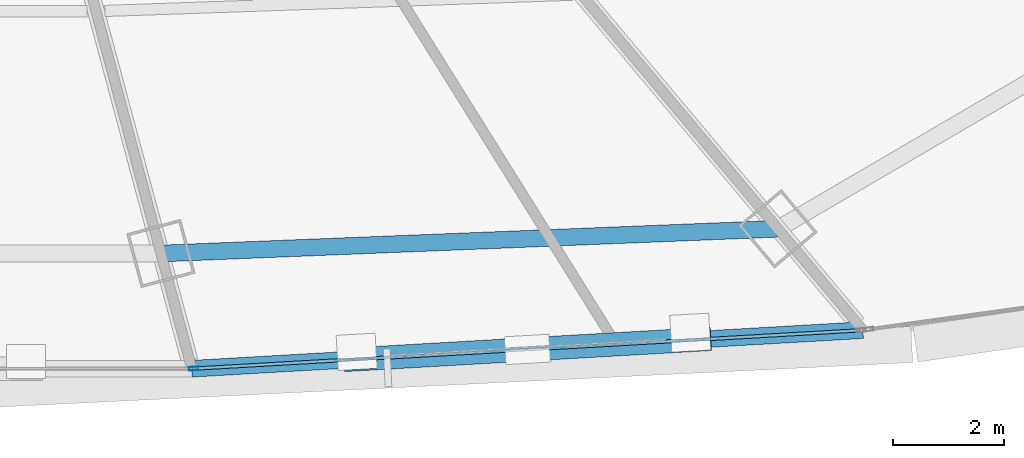
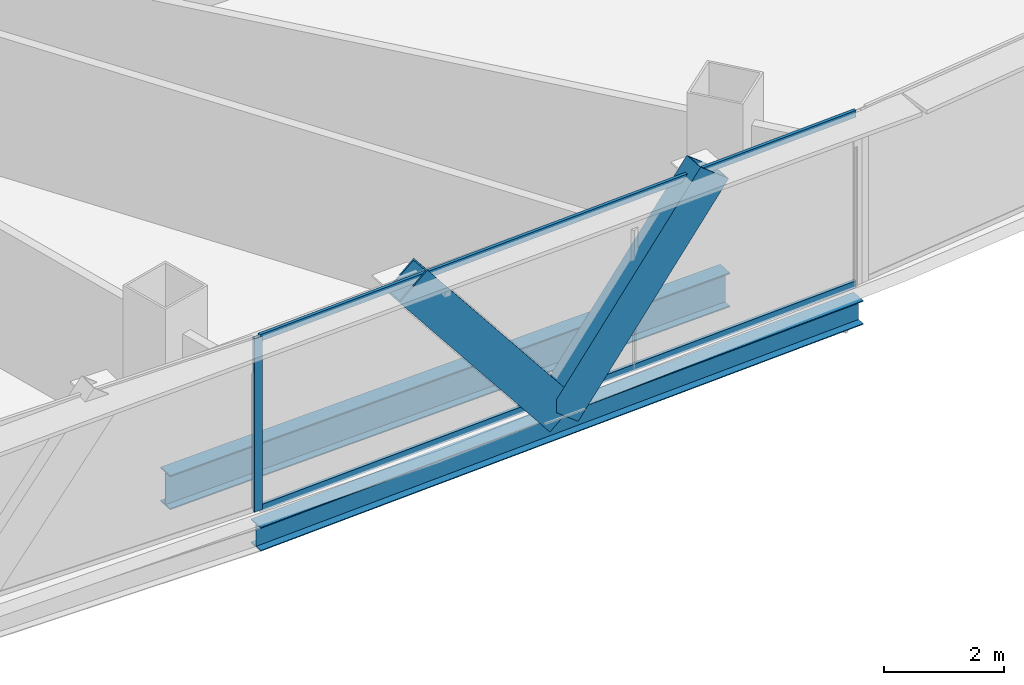
# One storey, part 10 of 37: 5 members, 2 beams, 1 element without a shape of its own.
"""IFC4 building model written with IfcOpenShell, lengths in metres."""

from ifc_helpers import new_model, si_unit, direction, frame, origin, origin_2d, place, context, subcontext, project, spatial, hollow_rectangle, i_section, extrude, source, transform, mapped, material, layer, layer_set, material_profile, profile_set, type_object, element, aggregate, save


model = new_model("IFC4")

# Units and contexts
model_context = context("Model", 3, precision=1e-05, world=origin(), true_north=direction((0.0, 1.0)))
body_context = subcontext(model_context, "Body", "Model", "MODEL_VIEW")
ifc_project = project(units=[si_unit("LENGTHUNIT", "METRE"), si_unit("AREAUNIT", "SQUARE_METRE"), si_unit("VOLUMEUNIT", "CUBIC_METRE"), si_unit("PLANEANGLEUNIT", "RADIAN"), si_unit("MASSUNIT", "GRAM", prefix="KILO"), si_unit("THERMODYNAMICTEMPERATUREUNIT", "KELVIN"), si_unit("POWERUNIT", "WATT")], contexts=[model_context])

# Site, building, storey
site_placement = place(None, origin())
site = spatial("IfcSite", under=ifc_project, at=site_placement, CompositionType="ELEMENT")
building_placement = place(site_placement, origin())
building = spatial("IfcBuilding", under=site, at=building_placement, Name="Yunzhuo Pagoda Commons", CompositionType="ELEMENT")
storey_placement = place(building_placement, frame((0.0, 0.0, 88.780029296875)))
storey = spatial("IfcBuildingStorey", under=building, at=storey_placement, Name="L22", CompositionType="ELEMENT", Elevation=88.780029296875)

# Beams
ifc_material_1 = material(Name="Structural steel Q355B", Category="steel")
ifc_material_profile_1 = material_profile(ifc_material_1, i_section(OverallWidth=0.300048828125, OverallDepth=0.488037109375, WebThickness=0.010986328125, FlangeThickness=0.01806640625, at=origin_2d()), Name="Structural steel Q355B")
ifc_profile_set_1 = profile_set([ifc_material_profile_1], Name="Structural steel Q355B")
beam_type_1 = type_object("IfcBeamType", Name="B-SP1 Beam HM 488x300x11x18", PredefinedType="BEAM", material=ifc_profile_set_1)
shared_shape_1 = source(origin(), body_context, "Body", "SweptSolid", [
    extrude(i_section(OverallWidth=0.300048828125, OverallDepth=0.488037109375, WebThickness=0.010986328125, FlangeThickness=0.01806640625, at=origin_2d()), origin(), (0.0, 0.0, 1.0), 12.060791015625),
])
beam_1_placement = place(storey_placement, frame((53.92138671875, 11.60107421875, -0.504150390625), z_axis=(0.99834961986, 0.057428534065, 0.0), x_axis=(-0.057428534065, 0.99834961986, 0.0)))
element("IfcBeam", 1, at=beam_1_placement, inside=storey, type_object=beam_type_1, Name="L22 facade edge spandrel beam F1.3", PredefinedType="BEAM", context=body_context, shape_type="MappedRepresentation", body=[
    mapped(shared_shape_1, transform((0.0, 0.0, 0.0), scale=1.0)),
])
ifc_material_profile_2 = material_profile(ifc_material_1, i_section(OverallWidth=0.300048828125, OverallDepth=0.699951171875, WebThickness=0.012939453125, FlangeThickness=0.02392578125, at=origin_2d()), Name="Structural steel Q355B")
ifc_profile_set_2 = profile_set([ifc_material_profile_2], Name="Structural steel Q355B")
beam_type_2 = type_object("IfcBeamType", Name="B-RG1 Beam HN 700x300x13x24", PredefinedType="BEAM", material=ifc_profile_set_2)
shared_shape_2 = source(origin(), body_context, "Body", "SweptSolid", [
    extrude(i_section(OverallWidth=0.300048828125, OverallDepth=0.699951171875, WebThickness=0.012939453125, FlangeThickness=0.02392578125, at=origin_2d()), origin(), (0.0, 0.0, 1.0), 11.077392578125),
])
beam_2_placement = place(storey_placement, frame((53.367431640625, 13.66845703125, -0.610107421875), z_axis=(0.999196975427, 0.040067496776, 0.0), x_axis=(-0.040067496776, 0.999196975427, 0.0)))
element("IfcBeam", 2, at=beam_2_placement, inside=storey, type_object=beam_type_2, Name="L22 column-ring beam 3", PredefinedType="BEAM", context=body_context, shape_type="MappedRepresentation", body=[
    mapped(shared_shape_2, transform((0.0, 0.0, 0.0), scale=1.0)),
])

# Members
ifc_material_2 = material(Name="Structural steel Q420B", Category="steel")
ifc_material_profile_3 = material_profile(ifc_material_2, hollow_rectangle(XDim=0.419921875, YDim=0.719970703125, WallThickness=0.028076171875, at=origin_2d()), Name="Structural steel Q420B")
ifc_profile_set_3 = profile_set([ifc_material_profile_3], Name="Structural steel Q420B")
member_type_1 = type_object("IfcMemberType", Name="M-DL1 Brace BOX 720x420x28", PredefinedType="BRACE", material=ifc_profile_set_3)
shared_shape_3 = source(origin(), body_context, "Body", "SweptSolid", [
    extrude(hollow_rectangle(XDim=0.419921875, YDim=0.719970703125, WallThickness=0.028076171875, at=origin_2d()), origin(), (0.0, 0.0, 1.0), 4.850830078125),
])
member_1_placement = place(storey_placement, frame((59.941650390625, 11.947509765625, -0.259765625), z_axis=(0.62056946573, 0.035734332576, 0.783336834114), x_axis=(-0.057487899777, 0.998346203168, 0.0)))
element("IfcMember", 3, at=member_1_placement, inside=storey, type_object=member_type_1, Name="L22 facade diamond brace F1.3R", PredefinedType="BRACE", context=body_context, shape_type="MappedRepresentation", body=[
    mapped(shared_shape_3, transform((0.0, 0.0, 0.0), scale=1.0)),
])
shared_shape_4 = source(origin(), body_context, "Body", "SweptSolid", [
    extrude(hollow_rectangle(XDim=0.419921875, YDim=0.719970703125, WallThickness=0.028076171875, at=origin_2d()), origin(), (0.0, 0.0, 1.0), 4.8505859375),
])
member_2_placement = place(storey_placement, frame((59.941650390625, 11.947509765625, -0.259765625), z_axis=(-0.62053851666, -0.035735448684, 0.783361300454), x_axis=(0.057492547184, -0.998345935545, 0.0)))
element("IfcMember", 4, at=member_2_placement, inside=storey, type_object=member_type_1, Name="L22 facade diamond brace F1.3L", PredefinedType="BRACE", context=body_context, shape_type="MappedRepresentation", body=[
    mapped(shared_shape_4, transform((0.0, 0.0, 0.0), scale=1.0)),
])

# Curtain wall, members
ifc_material_3 = material(Name="Anodized aluminium 6063-T6", Category="aluminium")
ifc_layer = layer(ifc_material_3, 0.1650390625)
ifc_layer_set = layer_set([ifc_layer], Name="Anodized aluminium 6063-T6")
curtain_wall_type = type_object("IfcCurtainWallType", Name="CW-LOW Low-Zone Ribbon Curtain Wall", PredefinedType="NOTDEFINED", material=ifc_layer_set)
curtain_wall_placement = place(storey_placement, origin())
curtain_wall = element("IfcCurtainWall", 5, at=curtain_wall_placement, inside=storey, type_object=curtain_wall_type, Name="L22 curtain wall CW-L22-F1B4", PredefinedType="NOTDEFINED")
ifc_material_profile_4 = material_profile(ifc_material_3, hollow_rectangle(XDim=0.06494140625, YDim=0.1650390625, WallThickness=0.00390625, at=origin_2d()), Name="Anodized aluminium 6063-T6")
ifc_profile_set_4 = profile_set([ifc_material_profile_4], Name="Anodized aluminium 6063-T6")
member_type_2 = type_object("IfcMemberType", Name="CW-LOW-M Mullion RHS 165x65x4", PredefinedType="MULLION", material=ifc_profile_set_4)
shared_shape_5 = source(origin(), body_context, "Body", "SweptSolid", [
    extrude(hollow_rectangle(XDim=0.06494140625, YDim=0.1650390625, WallThickness=0.00390625, at=origin_2d()), origin(), (0.0, 0.0, 1.0), 3.5400390625),
])
member_3_placement = place(storey_placement, frame((53.953857421875, 11.60302734375, 0.0), z_axis=(0.0, 0.0, 1.0), x_axis=(-0.057418382325, 0.998350203772, 0.0)))
member_3 = element("IfcMember", 6, at=member_3_placement, type_object=member_type_2, Name="CW mullion 1", PredefinedType="MULLION", context=body_context, shape_type="MappedRepresentation", body=[
    mapped(shared_shape_5, transform((0.0, 0.0, 0.0), scale=1.0)),
])
ifc_material_profile_5 = material_profile(ifc_material_3, hollow_rectangle(XDim=0.06005859375, YDim=0.139892578125, WallThickness=0.00341796875, at=origin_2d()), Name="Anodized aluminium 6063-T6")
ifc_profile_set_5 = profile_set([ifc_material_profile_5], Name="Anodized aluminium 6063-T6")
member_type_3 = type_object("IfcMemberType", Name="CW-LOW-T Transom RHS 140x60x3.5", PredefinedType="USERDEFINED", material=ifc_profile_set_5)
shared_shape_6 = source(origin(), body_context, "Body", "SweptSolid", [
    extrude(hollow_rectangle(XDim=0.06005859375, YDim=0.139892578125, WallThickness=0.00341796875, at=origin_2d()), origin(), (0.0, 0.0, 1.0), 11.9306640625),
])
member_4_placement = place(storey_placement, frame((53.986328125, 11.604736328125, 0.030029296875), z_axis=(0.998350086209, 0.057420426382, 0.0), x_axis=(-0.057420426382, 0.998350086209, 0.0)))
member_4 = element("IfcMember", 7, at=member_4_placement, type_object=member_type_3, Name="CW transom 1.1", ObjectType="TRANSOM", PredefinedType="USERDEFINED", context=body_context, shape_type="MappedRepresentation", body=[
    mapped(shared_shape_6, transform((0.0, 0.0, 0.0), scale=1.0)),
])
member_5_placement = place(storey_placement, frame((53.986328125, 11.604736328125, 3.510009765625), z_axis=(0.998350086209, 0.057420426382, 0.0), x_axis=(-0.057420426382, 0.998350086209, 0.0)))
member_5 = element("IfcMember", 8, at=member_5_placement, type_object=member_type_3, Name="CW transom 1.2", ObjectType="TRANSOM", PredefinedType="USERDEFINED", context=body_context, shape_type="MappedRepresentation", body=[
    mapped(shared_shape_6, transform((0.0, 0.0, 0.0), scale=1.0)),
])
aggregate(curtain_wall, [member_3, member_4, member_5])

save(model, "model.ifc")
